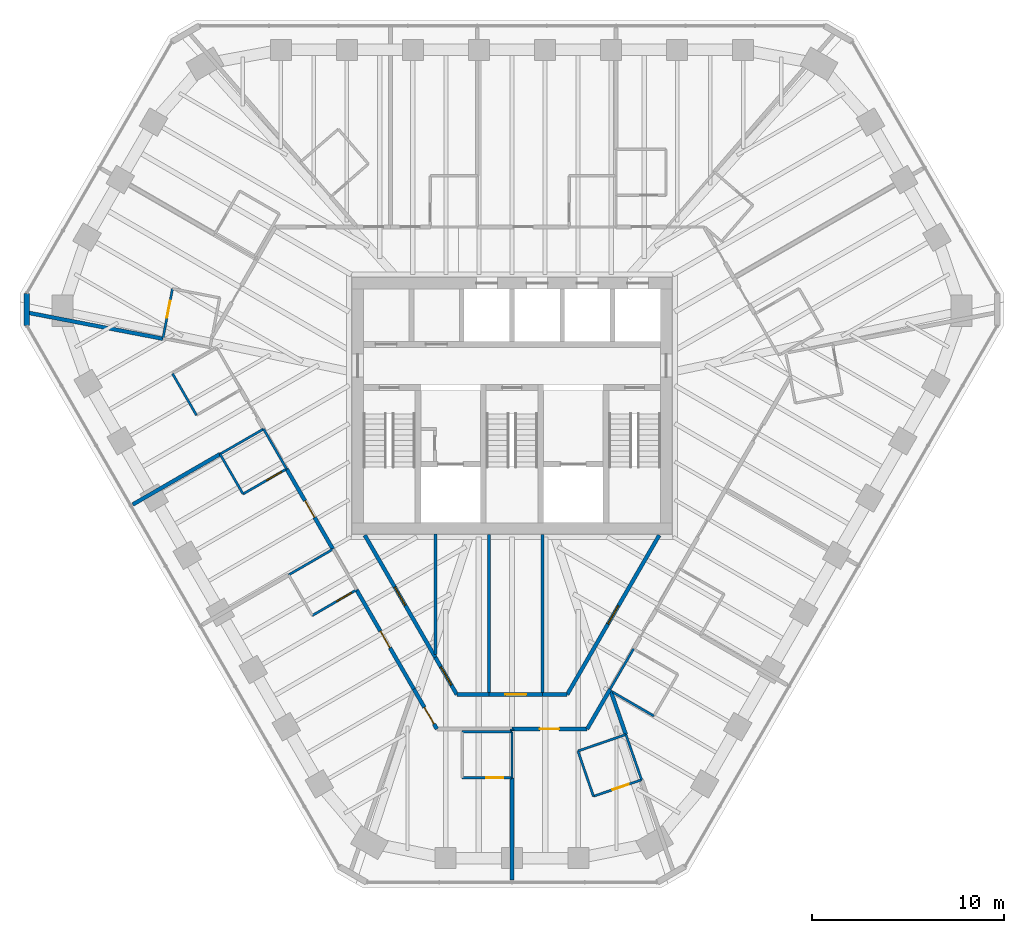
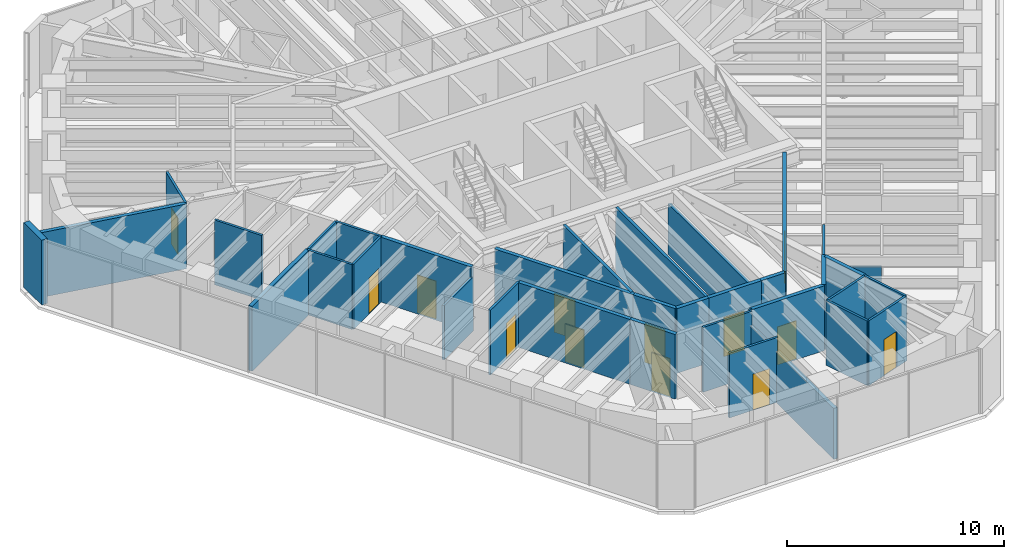
# One storey, part 9 of 14: 37 walls, 13 doors, 13 openings.
"""IFC4 building model written with IfcOpenShell, lengths in metres."""

import ifcopenshell
import ifcopenshell.guid

model = None  # the IFC model being written
_history = None  # IfcOwnerHistory: only IFC2X3 demands one
_inside = {}  # id of a spatial element -> (the spatial element, [elements in it])
_under = {}  # id of a project, library or spatial element -> (it, [spatial elements below it])
_declared = {}  # id of a project -> (the project, [libraries it declares])
_typed = {}  # id of a type object -> (the type object, [elements of that type])
_made_of = {}  # id of a material, layer set ... -> (it, [elements and type objects made of it])


def new_model(schema):
    """Start an empty IFC model of exactly this schema.

    Asked for "IFC4X3", IfcOpenShell would pick the latest addendum, in which some entities
    have other attributes; the version numbers below select the first issue.
    IFC2X3 requires an IfcOwnerHistory on every rooted entity: one is made here for all.
    """
    global model, _history
    if schema == "IFC4X3":
        model = ifcopenshell.file(schema_version=(4, 3, 0, 0))
    else:
        model = ifcopenshell.file(schema=schema)
    _inside.clear()
    _under.clear()
    _declared.clear()
    _typed.clear()
    _made_of.clear()
    _history = None
    if model.schema == "IFC2X3":
        org = make("IfcOrganization", Name="unknown")
        user = make(
            "IfcPersonAndOrganization",
            ThePerson=make("IfcPerson", FamilyName="unknown"),
            TheOrganization=org,
        )
        app = make(
            "IfcApplication",
            ApplicationDeveloper=org,
            Version="unknown",
            ApplicationFullName="unknown",
            ApplicationIdentifier="unknown",
        )
        _history = make(
            "IfcOwnerHistory",
            OwningUser=user,
            OwningApplication=app,
            ChangeAction="ADDED",
            CreationDate=0,
        )
    return model


def make(cls, **values):
    """One entity of the class cls with the attributes given. An attribute that is None is left unset."""
    return model.create_entity(
        cls, **{name: value for name, value in values.items() if value is not None}
    )


def rooted(cls, **values):
    """An entity with a GlobalId (a new one), such as an element, a storey or a relation."""
    return make(cls, GlobalId=ifcopenshell.guid.new(), OwnerHistory=_history, **values)


def si_unit(unit_type, name, prefix=None):
    """IfcSIUnit, for example si_unit("LENGTHUNIT", "METRE", prefix="MILLI")."""
    return make("IfcSIUnit", UnitType=unit_type, Prefix=prefix, Name=name)


def assignment(units):
    """IfcUnitAssignment: the units of a project."""
    return None if units is None else make("IfcUnitAssignment", Units=units)


def point(xyz):
    """IfcCartesianPoint."""
    return None if xyz is None else make("IfcCartesianPoint", Coordinates=xyz)


def direction(xyz):
    """IfcDirection."""
    return None if xyz is None else make("IfcDirection", DirectionRatios=xyz)


def frame(location, z_axis=None, x_axis=None):
    """IfcAxis2Placement3D, a coordinate frame: its origin and axes. An axis left out is left unset."""
    return make(
        "IfcAxis2Placement3D",
        Location=point(location),
        Axis=direction(z_axis),
        RefDirection=direction(x_axis),
    )


def frame_2d(location, x_axis=None):
    """IfcAxis2Placement2D, a coordinate frame in the plane: its origin and x axis."""
    return make(
        "IfcAxis2Placement2D", Location=point(location), RefDirection=direction(x_axis)
    )


def origin():
    """The frame at (0, 0, 0) with its axes left unset."""
    return frame((0.0, 0.0, 0.0))


def place(relative_to, where):
    """IfcLocalPlacement: puts the frame where relative to a parent placement (None: the world)."""
    return make(
        "IfcLocalPlacement", PlacementRelTo=relative_to, RelativePlacement=where
    )


def context(
    kind, dimensions, precision=None, world=None, true_north=None, identifier=None
):
    """IfcGeometricRepresentationContext, for example the 3D "Model" context."""
    return make(
        "IfcGeometricRepresentationContext",
        ContextIdentifier=identifier,
        ContextType=kind,
        CoordinateSpaceDimension=dimensions,
        Precision=precision,
        WorldCoordinateSystem=world,
        TrueNorth=true_north,
    )


def subcontext(parent, identifier, kind, view, scale=None):
    """IfcGeometricRepresentationSubContext, for example "Body" below "Model"."""
    return make(
        "IfcGeometricRepresentationSubContext",
        ContextIdentifier=identifier,
        ContextType=kind,
        ParentContext=parent,
        TargetScale=scale,
        TargetView=view,
    )


def project(units=None, contexts=None):
    """IfcProject with its units and contexts."""
    return rooted(
        "IfcProject",
        Name="project",
        RepresentationContexts=contexts,
        UnitsInContext=assignment(units),
    )


def spatial(cls, under=None, at=None, **own):
    """A site, building, storey or space (cls), placed at a placement, below another one or the project."""
    s = rooted(cls, ObjectPlacement=at, **own)
    if under is not None:
        _under.setdefault(under.id(), (under, []))[1].append(s)
    return s


def profile(cls, at=None, kind="AREA", **sizes):
    """A parametric profile (cls). Its sizes go by their IFC names, for example OverallWidth=200.0."""
    return make(cls, ProfileType=kind, Position=at, **sizes)


def rectangle(**sizes):
    """IfcRectangleProfileDef."""
    return profile("IfcRectangleProfileDef", **sizes)


def extrude(swept, where, along, depth):
    """IfcExtrudedAreaSolid: the profile swept, set in the frame where, extruded along a direction by depth."""
    return make(
        "IfcExtrudedAreaSolid",
        SweptArea=swept,
        Position=where,
        ExtrudedDirection=direction(along),
        Depth=depth,
    )


def shape(context_of_items, identifier, shape_type, items):
    """IfcShapeRepresentation: the items that make up one representation, for example the "Body"."""
    return make(
        "IfcShapeRepresentation",
        ContextOfItems=context_of_items,
        RepresentationIdentifier=identifier,
        RepresentationType=shape_type,
        Items=items,
    )


def material(Name=None, Category=None):
    """IfcMaterial."""
    return make("IfcMaterial", Name=Name, Category=Category)


def layer(
    of_material, thickness, ventilated=None, Name=None, Category=None, Priority=None
):
    """IfcMaterialLayer: one layer of a wall or slab, of a material (None: an air gap)."""
    return make(
        "IfcMaterialLayer",
        Material=of_material,
        LayerThickness=thickness,
        IsVentilated=ventilated,
        Name=Name,
        Category=Category,
        Priority=Priority,
    )


def layer_set(layers, Name=None):
    """IfcMaterialLayerSet."""
    return make("IfcMaterialLayerSet", MaterialLayers=layers, LayerSetName=Name)


def made_of(thing, what):
    """Note that an element or type object is made of a material, layer set ...; save() writes the relation."""
    if what is not None:
        _made_of.setdefault(what.id(), (what, []))[1].append(thing)
    return thing


def type_object(cls, material=None, **own):
    """A type object (cls), such as IfcWallType, which elements share."""
    return made_of(rooted(cls, **own), material)


def element(
    cls,
    number,
    at=None,
    inside=None,
    cuts=None,
    type_object=None,
    material=None,
    context=None,
    identifier="Body",
    shape_type=None,
    held_by="IfcProductDefinitionShape",
    body=None,
    shapes=None,
    **own,
):
    """One element of the class cls, such as IfcWall. Its Tag is "e" and its number.

    at: its placement. inside: the storey or other place that contains it. cuts: it is an
    opening in that element (IfcRelVoidsElement). A single representation is given by context,
    identifier, shape_type and body (its items); several are given by shapes. held_by: the class
    of the entity that holds the representations. save() writes the other relations.
    """
    e = rooted(cls, Tag="e%d" % number, ObjectPlacement=at, **own)
    if body is not None:
        shapes = [shape(context, identifier, shape_type, body)]
    if shapes is not None:
        e.Representation = make(held_by, Representations=shapes)
    if inside is not None:
        _inside.setdefault(inside.id(), (inside, []))[1].append(e)
    if cuts is not None:
        rooted(
            "IfcRelVoidsElement", RelatingBuildingElement=cuts, RelatedOpeningElement=e
        )
    if type_object is not None:
        _typed.setdefault(type_object.id(), (type_object, []))[1].append(e)
    return made_of(e, material)


def fill(opening, filler):
    """IfcRelFillsElement: the door or window that sits in an opening."""
    return rooted(
        "IfcRelFillsElement",
        RelatingOpeningElement=opening,
        RelatedBuildingElement=filler,
    )


def aggregate(whole, parts):
    """IfcRelAggregates: a whole, such as a stair, and the parts it consists of."""
    return rooted("IfcRelAggregates", RelatingObject=whole, RelatedObjects=parts)


def save(model, path):
    """Write the relations noted so far, then the file.

    IfcRelAggregates (storeys below a building ...), IfcRelContainedInSpatialStructure (elements
    in a storey), IfcRelDefinesByType, IfcRelAssociatesMaterial and IfcRelDeclares: one each for
    every whole, place, type object, material and project.
    """
    for whole, parts in _under.values():
        aggregate(whole, parts)
    for where, things in _inside.values():
        rooted(
            "IfcRelContainedInSpatialStructure",
            RelatedElements=things,
            RelatingStructure=where,
        )
    for kind, things in _typed.values():
        rooted("IfcRelDefinesByType", RelatedObjects=things, RelatingType=kind)
    for what, things in _made_of.values():
        rooted("IfcRelAssociatesMaterial", RelatedObjects=things, RelatingMaterial=what)
    for by, libraries in _declared.values():
        rooted("IfcRelDeclares", RelatingContext=by, RelatedDefinitions=libraries)
    model.write(path)


model = new_model("IFC4")

# Units and contexts
model_context = context("Model", 3, precision=1e-05, world=origin(), true_north=direction((0.0, 1.0)))
body_context = subcontext(model_context, "Body", "Model", "MODEL_VIEW")
ifc_project = project(units=[si_unit("LENGTHUNIT", "METRE"), si_unit("AREAUNIT", "SQUARE_METRE"), si_unit("VOLUMEUNIT", "CUBIC_METRE"), si_unit("PLANEANGLEUNIT", "RADIAN"), si_unit("MASSUNIT", "GRAM", prefix="KILO")], contexts=[model_context])

# Site, building, storey
site_placement = place(None, origin())
site = spatial("IfcSite", under=ifc_project, at=site_placement, CompositionType="ELEMENT")
building_placement = place(site_placement, origin())
building = spatial("IfcBuilding", under=site, at=building_placement, Name="Sandreach Pilgrim Tower", CompositionType="ELEMENT")
storey_placement = place(building_placement, frame((0.0, 0.0, 287.39990234375)))
storey = spatial("IfcBuildingStorey", under=building, at=storey_placement, Name="L72", CompositionType="ELEMENT", Elevation=287.39990234375)

# Walls
ifc_material_1 = material(Name="Gypsum board on steel studs", Category="steel")
ifc_layer_1 = layer(ifc_material_1, 0.14990234375)
ifc_layer_set_1 = layer_set([ifc_layer_1], Name="Back of house wall 150")
wall_type_1 = type_object("IfcWallType", Name="Back of house wall 150", PredefinedType="PARTITIONING", material=ifc_layer_set_1)
wall_1_placement = place(storey_placement, frame((-4.0, -6.699951171875, 0.0), z_axis=(0.0, 0.0, 1.0), x_axis=(0.0, -1.0, 0.0)))
element("IfcWall", 1, at=wall_1_placement, inside=storey, type_object=wall_type_1, Name="Back of house wall L72-049", PredefinedType="PARTITIONING", context=body_context, shape_type="SweptSolid", body=[
    extrude(rectangle(XDim=6.26513671875, YDim=0.14990234375, at=frame_2d((3.132568359375, 0.0))), origin(), (0.0, 0.0, 1.0), 3.64013671875),
])
wall_2_placement = place(storey_placement, frame((-1.199951171875, -6.699951171875, 0.0), z_axis=(0.0, 0.0, 1.0), x_axis=(0.0, -1.0, 0.0)))
element("IfcWall", 2, at=wall_2_placement, inside=storey, type_object=wall_type_1, Name="Back of house wall L72-058", PredefinedType="PARTITIONING", context=body_context, shape_type="SweptSolid", body=[
    extrude(rectangle(XDim=8.360107421875, YDim=0.14990234375, at=frame_2d((4.18017578125, 0.0))), origin(), (0.0, 0.0, 1.0), 3.64013671875),
])
wall_3_placement = place(storey_placement, frame((1.60009765625, -6.699951171875, 0.0), z_axis=(0.0, 0.0, 1.0), x_axis=(0.0, -1.0, 0.0)))
element("IfcWall", 3, at=wall_3_placement, inside=storey, type_object=wall_type_1, Name="Back of house wall L72-065", PredefinedType="PARTITIONING", context=body_context, shape_type="SweptSolid", body=[
    extrude(rectangle(XDim=8.360107421875, YDim=0.14990234375, at=frame_2d((4.18017578125, 0.0))), origin(), (0.0, 0.0, 1.0), 2.8603515625),
])
ifc_material_2 = material(Name="Moisture-resistant gypsum board on steel studs", Category="steel")
ifc_layer_2 = layer(ifc_material_2, 0.1201171875)
ifc_layer_set_2 = layer_set([ifc_layer_2], Name="Bathroom partition 120")
wall_type_2 = type_object("IfcWallType", Name="Bathroom partition 120", PredefinedType="PARTITIONING", material=ifc_layer_set_2)
wall_4_placement = place(storey_placement, frame((-17.7099609375, 1.679931640625, 0.0), z_axis=(0.0, 0.0, 1.0), x_axis=(0.499159685399, -0.866510016372, 0.0)))
element("IfcWall", 4, at=wall_4_placement, inside=storey, type_object=wall_type_2, Name="Bathroom partition L72-005", PredefinedType="PARTITIONING", context=body_context, shape_type="SweptSolid", body=[
    extrude(rectangle(XDim=2.504150390625, YDim=0.1201171875, at=frame_2d((1.251953125, 0.0))), origin(), (0.0, 0.0, 1.0), 3.64013671875),
])

# Wall, opening, door
wall_5_placement = place(storey_placement, frame((-17.7099609375, 6.110107421875, 0.0), z_axis=(0.0, 0.0, 1.0), x_axis=(-0.188840553732, -0.982007762325, 0.0)))
wall_5 = element("IfcWall", 5, at=wall_5_placement, inside=storey, type_object=wall_type_2, Name="Bathroom partition L72-006", PredefinedType="PARTITIONING", context=body_context, shape_type="SweptSolid", body=[
    extrude(rectangle(XDim=2.647705078125, YDim=0.1201171875, at=frame_2d((1.32373046875, 0.0))), origin(), (0.0, 0.0, 1.0), 3.64013671875),
])
opening_1_placement = place(wall_5_placement, frame((0.64990234375, 0.0, 0.0)))
opening_1 = element("IfcOpeningElement", 6, at=opening_1_placement, cuts=wall_5, Name="Opening D09-15B", PredefinedType="OPENING", context=body_context, shape_type="SweptSolid", body=[
    extrude(rectangle(XDim=0.89990234375, YDim=2.030029296875, at=frame_2d((0.449951171875, 1.01513671875))), frame((0.0, 0.06005859375, 0.0), z_axis=(0.0, -1.0, 0.0), x_axis=(1.0, 0.0, 0.0)), (0.0, 0.0, 1.0), 0.1201171875),
])
ifc_material_3 = material(Name="Timber door, steel frame", Category="steel")
door_type_1 = type_object("IfcDoorType", Name="Bathroom door", OperationType="SINGLE_SWING_LEFT", PredefinedType="DOOR", material=ifc_material_3)
door_1_placement = place(opening_1_placement, origin())
door_1 = element("IfcDoor", 7, at=door_1_placement, inside=storey, type_object=door_type_1, Name="Door 7215B", OperationType="SINGLE_SWING_LEFT", OverallHeight=2.030029296875, OverallWidth=0.89990234375, PredefinedType="DOOR", context=body_context, shape_type="SweptSolid", body=[
    extrude(rectangle(XDim=0.89990234375, YDim=2.030029296875, at=frame_2d((0.449951171875, 1.01513671875))), frame((0.0, 0.02490234375, 0.0), z_axis=(0.0, -1.0, 0.0), x_axis=(1.0, 0.0, 0.0)), (0.0, 0.0, 1.0), 0.050048828125),
])
fill(opening_1, door_1)

# Walls
wall_6_placement = place(storey_placement, frame((-15.22998046875, -2.52001953125, 0.0), z_axis=(0.0, 0.0, 1.0), x_axis=(0.499737123639, -0.866177122335, 0.0)))
element("IfcWall", 8, at=wall_6_placement, inside=storey, type_object=wall_type_2, Name="Bathroom partition L72-019", PredefinedType="PARTITIONING", context=body_context, shape_type="SweptSolid", body=[
    extrude(rectangle(XDim=2.401123046875, YDim=0.1201171875, at=frame_2d((1.20068359375, 0.0))), origin(), (0.0, 0.0, 1.0), 3.64013671875),
])
wall_7_placement = place(storey_placement, frame((-15.22998046875, -2.52001953125, 0.0), z_axis=(0.0, 0.0, 1.0), x_axis=(0.866114241029, 0.499846097802, 0.0)))
element("IfcWall", 9, at=wall_7_placement, inside=storey, type_object=wall_type_2, Name="Bathroom partition L72-020", PredefinedType="PARTITIONING", context=body_context, shape_type="SweptSolid", body=[
    extrude(rectangle(XDim=2.620849609375, YDim=0.1201171875, at=frame_2d((1.310546875, 0.0))), origin(), (0.0, 0.0, 1.0), 3.64013671875),
])

# Wall, opening, door
wall_8_placement = place(storey_placement, frame((-14.030029296875, -4.60009765625, 0.0), z_axis=(0.0, 0.0, 1.0), x_axis=(0.866114241029, 0.499846097802, 0.0)))
wall_8 = element("IfcWall", 10, at=wall_8_placement, inside=storey, type_object=wall_type_2, Name="Bathroom partition L72-023", PredefinedType="PARTITIONING", context=body_context, shape_type="SweptSolid", body=[
    extrude(rectangle(XDim=2.620849609375, YDim=0.1201171875, at=frame_2d((1.310546875, 0.0))), origin(), (0.0, 0.0, 1.0), 3.64013671875),
])
opening_2_placement = place(wall_8_placement, frame((1.4208984375, 0.0, 0.0)))
opening_2 = element("IfcOpeningElement", 11, at=opening_2_placement, cuts=wall_8, Name="Opening D09-13B", PredefinedType="OPENING", context=body_context, shape_type="SweptSolid", body=[
    extrude(rectangle(XDim=0.89990234375, YDim=2.030029296875, at=frame_2d((0.449951171875, 1.01513671875))), frame((0.0, 0.06005859375, 0.0), z_axis=(0.0, -1.0, 0.0), x_axis=(1.0, 0.0, 0.0)), (0.0, 0.0, 1.0), 0.1201171875),
])
door_2_placement = place(opening_2_placement, origin())
door_2 = element("IfcDoor", 12, at=door_2_placement, inside=storey, type_object=door_type_1, Name="Door 7213B", OperationType="SINGLE_SWING_RIGHT", OverallHeight=2.030029296875, OverallWidth=0.89990234375, PredefinedType="DOOR", context=body_context, shape_type="SweptSolid", body=[
    extrude(rectangle(XDim=0.89990234375, YDim=2.030029296875, at=frame_2d((0.449951171875, 1.01513671875))), frame((0.0, 0.02490234375, 0.0), z_axis=(0.0, -1.0, 0.0), x_axis=(1.0, 0.0, 0.0)), (0.0, 0.0, 1.0), 0.050048828125),
])
fill(opening_2, door_2)

# Walls
wall_9_placement = place(storey_placement, frame((-12.9599609375, -1.2099609375, 0.0), z_axis=(0.0, 0.0, 1.0), x_axis=(0.499693115345, -0.866202511239, 0.0)))
element("IfcWall", 13, at=wall_9_placement, inside=storey, type_object=wall_type_2, Name="Bathroom partition L72-027", PredefinedType="PARTITIONING", context=body_context, shape_type="SweptSolid", body=[
    extrude(rectangle(XDim=2.4013671875, YDim=0.1201171875, at=frame_2d((1.20068359375, 0.0))), origin(), (0.0, 0.0, 1.0), 3.64013671875),
])
wall_10_placement = place(storey_placement, frame((-11.64990234375, -8.820068359375, 0.0), z_axis=(0.0, 0.0, 1.0), x_axis=(0.864966903181, 0.501828911485, 0.0)))
element("IfcWall", 14, at=wall_10_placement, inside=storey, type_object=wall_type_2, Name="Bathroom partition L72-031", PredefinedType="PARTITIONING", context=body_context, shape_type="SweptSolid", body=[
    extrude(rectangle(XDim=2.67041015625, YDim=0.1201171875, at=frame_2d((1.335205078125, 0.0))), origin(), (0.0, 0.0, 1.0), 3.0380859375),
])

# Wall, opening, door
wall_11_placement = place(storey_placement, frame((-10.419921875, -10.93994140625, 0.0), z_axis=(0.0, 0.0, 1.0), x_axis=(0.865006586495, 0.501760505939, 0.0)))
wall_11 = element("IfcWall", 15, at=wall_11_placement, inside=storey, type_object=wall_type_2, Name="Bathroom partition L72-033", PredefinedType="PARTITIONING", context=body_context, shape_type="SweptSolid", body=[
    extrude(rectangle(XDim=2.670166015625, YDim=0.1201171875, at=frame_2d((1.3349609375, 0.0))), origin(), (0.0, 0.0, 1.0), 3.64013671875),
])
opening_3_placement = place(wall_11_placement, frame((1.470458984375, 0.0, 0.0)))
opening_3 = element("IfcOpeningElement", 16, at=opening_3_placement, cuts=wall_11, Name="Opening D09-12B", PredefinedType="OPENING", context=body_context, shape_type="SweptSolid", body=[
    extrude(rectangle(XDim=0.89990234375, YDim=2.030029296875, at=frame_2d((0.449951171875, 1.01513671875))), frame((0.0, 0.06005859375, 0.0), z_axis=(0.0, -1.0, 0.0), x_axis=(1.0, 0.0, 0.0)), (0.0, 0.0, 1.0), 0.1201171875),
])
door_3_placement = place(opening_3_placement, origin())
door_3 = element("IfcDoor", 17, at=door_3_placement, inside=storey, type_object=door_type_1, Name="Door 7212B", OperationType="SINGLE_SWING_RIGHT", OverallHeight=2.030029296875, OverallWidth=0.89990234375, PredefinedType="DOOR", context=body_context, shape_type="SweptSolid", body=[
    extrude(rectangle(XDim=0.89990234375, YDim=2.030029296875, at=frame_2d((0.449951171875, 1.01513671875))), frame((0.0, 0.02490234375, 0.0), z_axis=(0.0, -1.0, 0.0), x_axis=(1.0, 0.0, 0.0)), (0.0, 0.0, 1.0), 0.050048828125),
])
fill(opening_3, door_3)

wall_12_placement = place(storey_placement, frame((-2.60009765625, -19.409912109375, 0.0), z_axis=(0.0, 0.0, 1.0), x_axis=(1.0, 0.0, 0.0)))
wall_12 = element("IfcWall", 18, at=wall_12_placement, inside=storey, type_object=wall_type_2, Name="Bathroom partition L72-052", PredefinedType="PARTITIONING", context=body_context, shape_type="SweptSolid", body=[
    extrude(rectangle(XDim=2.60009765625, YDim=0.1201171875, at=frame_2d((1.300048828125, 0.0))), origin(), (0.0, 0.0, 1.0), 3.64013671875),
])
opening_4_placement = place(wall_12_placement, frame((1.25, 0.0, 0.0)))
opening_4 = element("IfcOpeningElement", 19, at=opening_4_placement, cuts=wall_12, Name="Opening D09-11B", PredefinedType="OPENING", context=body_context, shape_type="SweptSolid", body=[
    extrude(rectangle(XDim=0.89990234375, YDim=2.030029296875, at=frame_2d((0.449951171875, 1.01513671875))), frame((0.0, 0.06005859375, 0.0), z_axis=(0.0, -1.0, 0.0), x_axis=(1.0, 0.0, 0.0)), (0.0, 0.0, 1.0), 0.1201171875),
])
door_4_placement = place(opening_4_placement, origin())
door_4 = element("IfcDoor", 20, at=door_4_placement, inside=storey, type_object=door_type_1, Name="Door 7211B", OperationType="SINGLE_SWING_RIGHT", OverallHeight=2.030029296875, OverallWidth=0.89990234375, PredefinedType="DOOR", context=body_context, shape_type="SweptSolid", body=[
    extrude(rectangle(XDim=0.89990234375, YDim=2.030029296875, at=frame_2d((0.449951171875, 1.01513671875))), frame((0.0, 0.02490234375, 0.0), z_axis=(0.0, -1.0, 0.0), x_axis=(1.0, 0.0, 0.0)), (0.0, 0.0, 1.0), 0.050048828125),
])
fill(opening_4, door_4)

# Walls
wall_13_placement = place(storey_placement, frame((0.0, -19.409912109375, 0.0), z_axis=(0.0, 0.0, 1.0), x_axis=(0.0, 1.0, 0.0)))
element("IfcWall", 21, at=wall_13_placement, inside=storey, type_object=wall_type_2, Name="Bathroom partition L72-060", PredefinedType="PARTITIONING", context=body_context, shape_type="SweptSolid", body=[
    extrude(rectangle(XDim=2.39990234375, YDim=0.1201171875, at=frame_2d((1.199951171875, 0.0))), origin(), (0.0, 0.0, 1.0), 2.8603515625),
])
wall_14_placement = place(storey_placement, frame((0.0, -17.010009765625, 0.0), z_axis=(0.0, 0.0, 1.0), x_axis=(-1.0, 0.0, 0.0)))
element("IfcWall", 22, at=wall_14_placement, inside=storey, type_object=wall_type_2, Name="Bathroom partition L72-061", PredefinedType="PARTITIONING", context=body_context, shape_type="SweptSolid", body=[
    extrude(rectangle(XDim=2.60009765625, YDim=0.1201171875, at=frame_2d((1.300048828125, 0.0))), origin(), (0.0, 0.0, 1.0), 3.64013671875),
])
wall_15_placement = place(storey_placement, frame((3.43994140625, -18.010009765625, 0.0), z_axis=(0.0, 0.0, 1.0), x_axis=(0.324669532971, -0.945827518293, 0.0)))
element("IfcWall", 23, at=wall_15_placement, inside=storey, type_object=wall_type_2, Name="Bathroom partition L72-069", PredefinedType="PARTITIONING", context=body_context, shape_type="SweptSolid", body=[
    extrude(rectangle(XDim=2.4951171875, YDim=0.1201171875, at=frame_2d((1.24755859375, 0.0))), origin(), (0.0, 0.0, 1.0), 3.64013671875),
])

# Wall, opening, door
wall_16_placement = place(storey_placement, frame((4.25, -20.3701171875, 0.0), z_axis=(0.0, 0.0, 1.0), x_axis=(0.945999971947, 0.324166705687, 0.0)))
wall_16 = element("IfcWall", 24, at=wall_16_placement, inside=storey, type_object=wall_type_2, Name="Bathroom partition L72-071", PredefinedType="PARTITIONING", context=body_context, shape_type="SweptSolid", body=[
    extrude(rectangle(XDim=2.6533203125, YDim=0.1201171875, at=frame_2d((1.32666015625, 0.0))), origin(), (0.0, 0.0, 1.0), 3.64013671875),
])
opening_5_placement = place(wall_16_placement, frame((1.050048828125, 0.0, 0.0)))
opening_5 = element("IfcOpeningElement", 25, at=opening_5_placement, cuts=wall_16, Name="Opening D09-10B", PredefinedType="OPENING", context=body_context, shape_type="SweptSolid", body=[
    extrude(rectangle(XDim=0.89990234375, YDim=2.030029296875, at=frame_2d((0.449951171875, 1.01513671875))), frame((0.0, 0.06005859375, 0.0), z_axis=(0.0, -1.0, 0.0), x_axis=(1.0, 0.0, 0.0)), (0.0, 0.0, 1.0), 0.1201171875),
])
door_5_placement = place(opening_5_placement, origin())
door_5 = element("IfcDoor", 26, at=door_5_placement, inside=storey, type_object=door_type_1, Name="Door 7210B", OperationType="SINGLE_SWING_RIGHT", OverallHeight=2.030029296875, OverallWidth=0.89990234375, PredefinedType="DOOR", context=body_context, shape_type="SweptSolid", body=[
    extrude(rectangle(XDim=0.89990234375, YDim=2.030029296875, at=frame_2d((0.449951171875, 1.01513671875))), frame((0.0, 0.02490234375, 0.0), z_axis=(0.0, -1.0, 0.0), x_axis=(1.0, 0.0, 0.0)), (0.0, 0.0, 1.0), 0.050048828125),
])
fill(opening_5, door_5)

# Walls
wall_17_placement = place(storey_placement, frame((5.1201171875, -14.780029296875, 0.0), z_axis=(0.0, 0.0, 1.0), x_axis=(0.502307685327, 0.86468895521, 0.0)))
element("IfcWall", 27, at=wall_17_placement, inside=storey, type_object=wall_type_2, Name="Bathroom partition L72-072", PredefinedType="PARTITIONING", context=body_context, shape_type="SweptSolid", body=[
    extrude(rectangle(XDim=2.4287109375, YDim=0.1201171875, at=frame_2d((1.21435546875, 0.0))), origin(), (0.0, 0.0, 1.0), 3.64013671875),
])
wall_18_placement = place(storey_placement, frame((5.250732421875, -14.9326171875, 0.0), z_axis=(0.0, 0.0, 1.0), x_axis=(0.864892147873, -0.501957739803, 0.0)))
element("IfcWall", 28, at=wall_18_placement, inside=storey, type_object=wall_type_2, Name="Bathroom partition L72-073", PredefinedType="PARTITIONING", context=body_context, shape_type="SweptSolid", body=[
    extrude(rectangle(XDim=2.48486328125, YDim=0.1201171875, at=frame_2d((1.242431640625, 0.0))), origin(), (0.0, 0.0, 1.0), 3.0380859375),
])
wall_19_placement = place(storey_placement, frame((5.93994140625, -17.14990234375, 0.0), z_axis=(0.0, 0.0, 1.0), x_axis=(-0.945601400786, -0.32532751318, 0.0)))
element("IfcWall", 29, at=wall_19_placement, inside=storey, type_object=wall_type_2, Name="Bathroom partition L72-081", PredefinedType="PARTITIONING", context=body_context, shape_type="SweptSolid", body=[
    extrude(rectangle(XDim=2.643798828125, YDim=0.1201171875, at=frame_2d((1.32177734375, 0.0))), origin(), (0.0, 0.0, 1.0), 3.64013671875),
])
wall_20_placement = place(storey_placement, frame((5.93994140625, -17.14990234375, 0.0), z_axis=(0.0, 0.0, 1.0), x_axis=(0.32822120494, -0.944600889597, 0.0)))
element("IfcWall", 30, at=wall_20_placement, inside=storey, type_object=wall_type_2, Name="Bathroom partition L72-083", PredefinedType="PARTITIONING", context=body_context, shape_type="SweptSolid", body=[
    extrude(rectangle(XDim=2.49853515625, YDim=0.1201171875, at=frame_2d((1.249267578125, 0.0))), origin(), (0.0, 0.0, 1.0), 3.64013671875),
])

# Wall, opening, door
ifc_material_4 = material(Name="Gypsum board on steel studs, two layers each side", Category="steel")
ifc_layer_3 = layer(ifc_material_4, 0.199951171875)
ifc_layer_set_3 = layer_set([ifc_layer_3], Name="Corridor wall 200")
wall_type_3 = type_object("IfcWallType", Name="Corridor wall 200", PredefinedType="PARTITIONING", material=ifc_layer_set_3)
wall_21_placement = place(storey_placement, frame((-11.760009765625, -3.2900390625, 0.0), z_axis=(0.0, 0.0, 1.0), x_axis=(0.500133000121, -0.86594860251, 0.0)))
wall_21 = element("IfcWall", 31, at=wall_21_placement, inside=storey, type_object=wall_type_3, Name="Corridor wall L72-029", PredefinedType="PARTITIONING", context=body_context, shape_type="SweptSolid", body=[
    extrude(rectangle(XDim=4.838623046875, YDim=0.199951171875, at=frame_2d((2.41943359375, 0.0))), origin(), (0.0, 0.0, 1.0), 3.64013671875),
])
opening_6_placement = place(wall_21_placement, frame((1.919189453125, 0.0, 0.0)))
opening_6 = element("IfcOpeningElement", 32, at=opening_6_placement, cuts=wall_21, Name="Opening D10-13", PredefinedType="OPENING", context=body_context, shape_type="SweptSolid", body=[
    extrude(rectangle(XDim=1.0, YDim=2.1298828125, at=frame_2d((0.5, 1.06494140625))), frame((0.0, 0.10009765625, 0.0), z_axis=(0.0, -1.0, 0.0), x_axis=(1.0, 0.0, 0.0)), (0.0, 0.0, 1.0), 0.199951171875),
])
ifc_material_5 = material(Name="Steel door and frame", Category="steel")
door_type_2 = type_object("IfcDoorType", Name="Guest room entry door", OperationType="SINGLE_SWING_LEFT", PredefinedType="DOOR", material=ifc_material_5)
door_6_placement = place(opening_6_placement, origin())
door_6 = element("IfcDoor", 33, at=door_6_placement, inside=storey, type_object=door_type_2, Name="Door 7213", OperationType="SINGLE_SWING_LEFT", OverallHeight=2.1298828125, OverallWidth=1.0, PredefinedType="DOOR", context=body_context, shape_type="SweptSolid", body=[
    extrude(rectangle(XDim=1.0, YDim=2.1298828125, at=frame_2d((0.5, 1.06494140625))), frame((0.0, 0.02490234375, 0.0), z_axis=(0.0, -1.0, 0.0), x_axis=(1.0, 0.0, 0.0)), (0.0, 0.0, 1.0), 0.050048828125),
])
fill(opening_6, door_6)

wall_22_placement = place(storey_placement, frame((-8.110107421875, -9.60009765625, 0.0), z_axis=(0.0, 0.0, 1.0), x_axis=(0.49991915452, -0.866072074913, 0.0)))
wall_22 = element("IfcWall", 34, at=wall_22_placement, inside=storey, type_object=wall_type_3, Name="Corridor wall L72-039", PredefinedType="PARTITIONING", context=body_context, shape_type="SweptSolid", body=[
    extrude(rectangle(XDim=5.98095703125, YDim=0.199951171875, at=frame_2d((2.990478515625, 0.0))), origin(), (0.0, 0.0, 1.0), 3.64013671875),
])
opening_7_placement = place(wall_22_placement, frame((2.490478515625, 0.0, 0.0)))
opening_7 = element("IfcOpeningElement", 35, at=opening_7_placement, cuts=wall_22, Name="Opening D10-12", PredefinedType="OPENING", context=body_context, shape_type="SweptSolid", body=[
    extrude(rectangle(XDim=1.0, YDim=2.1298828125, at=frame_2d((0.5, 1.06494140625))), frame((0.0, 0.10009765625, 0.0), z_axis=(0.0, -1.0, 0.0), x_axis=(1.0, 0.0, 0.0)), (0.0, 0.0, 1.0), 0.199951171875),
])
door_7_placement = place(opening_7_placement, origin())
door_7 = element("IfcDoor", 36, at=door_7_placement, inside=storey, type_object=door_type_2, Name="Door 7212", OperationType="SINGLE_SWING_LEFT", OverallHeight=2.1298828125, OverallWidth=1.0, PredefinedType="DOOR", context=body_context, shape_type="SweptSolid", body=[
    extrude(rectangle(XDim=1.0, YDim=2.1298828125, at=frame_2d((0.5, 1.06494140625))), frame((0.0, 0.02490234375, 0.0), z_axis=(0.0, -1.0, 0.0), x_axis=(1.0, 0.0, 0.0)), (0.0, 0.0, 1.0), 0.050048828125),
])
fill(opening_7, door_7)

wall_23_placement = place(storey_placement, frame((-5.1201171875, -14.780029296875, 0.0), z_axis=(0.0, 0.0, 1.0), x_axis=(0.499813401482, -0.866133109688, 0.0)))
wall_23 = element("IfcWall", 37, at=wall_23_placement, inside=storey, type_object=wall_type_3, Name="Corridor wall L72-044", PredefinedType="PARTITIONING", context=body_context, shape_type="SweptSolid", body=[
    extrude(rectangle(XDim=2.4013671875, YDim=0.199951171875, at=frame_2d((1.20068359375, 0.0))), origin(), (0.0, 0.0, 1.0), 3.64013671875),
])
opening_8_placement = place(wall_23_placement, frame((1.10009765625, 0.0, 0.0)))
opening_8 = element("IfcOpeningElement", 38, at=opening_8_placement, cuts=wall_23, Name="Opening D10-11", PredefinedType="OPENING", context=body_context, shape_type="SweptSolid", body=[
    extrude(rectangle(XDim=1.0, YDim=2.1298828125, at=frame_2d((0.5, 1.06494140625))), frame((0.0, 0.10009765625, 0.0), z_axis=(0.0, -1.0, 0.0), x_axis=(1.0, 0.0, 0.0)), (0.0, 0.0, 1.0), 0.199951171875),
])
door_8_placement = place(opening_8_placement, origin())
door_8 = element("IfcDoor", 39, at=door_8_placement, inside=storey, type_object=door_type_2, Name="Door 7211", OperationType="SINGLE_SWING_RIGHT", OverallHeight=2.1298828125, OverallWidth=1.0, PredefinedType="DOOR", context=body_context, shape_type="SweptSolid", body=[
    extrude(rectangle(XDim=1.0, YDim=2.1298828125, at=frame_2d((0.5, 1.06494140625))), frame((0.0, 0.02490234375, 0.0), z_axis=(0.0, -1.0, 0.0), x_axis=(1.0, 0.0, 0.0)), (0.0, 0.0, 1.0), 0.050048828125),
])
fill(opening_8, door_8)

wall_24_placement = place(storey_placement, frame((-4.0, -13.1201171875, 0.0), z_axis=(0.0, 0.0, 1.0), x_axis=(-0.500218436225, 0.865899252835, 0.0)))
wall_24 = element("IfcWall", 40, at=wall_24_placement, inside=storey, type_object=wall_type_3, Name="Corridor wall L72-048", PredefinedType="PARTITIONING", context=body_context, shape_type="SweptSolid", body=[
    extrude(rectangle(XDim=7.356689453125, YDim=0.199951171875, at=frame_2d((3.67822265625, 0.0))), origin(), (0.0, 0.0, 1.0), 3.64013671875),
])
opening_9_placement = place(wall_24_placement, frame((3.12841796875, 0.0, 0.0)))
opening_9 = element("IfcOpeningElement", 41, at=opening_9_placement, cuts=wall_24, Name="Opening D11H-S1", PredefinedType="OPENING", context=body_context, shape_type="SweptSolid", body=[
    extrude(rectangle(XDim=1.10009765625, YDim=2.199951171875, at=frame_2d((0.550048828125, 1.10009765625))), frame((0.0, 0.10009765625, 0.0), z_axis=(0.0, -1.0, 0.0), x_axis=(1.0, 0.0, 0.0)), (0.0, 0.0, 1.0), 0.199951171875),
])
ifc_material_6 = material(Name="Steel door and frame", Category="steel")
door_type_3 = type_object("IfcDoorType", Name="Back of house door", OperationType="SINGLE_SWING_LEFT", PredefinedType="DOOR", material=ifc_material_6)
door_9_placement = place(opening_9_placement, origin())
door_9 = element("IfcDoor", 42, at=door_9_placement, inside=storey, type_object=door_type_3, Name="Door 72S1", OperationType="SINGLE_SWING_LEFT", OverallHeight=2.199951171875, OverallWidth=1.10009765625, PredefinedType="DOOR", context=body_context, shape_type="SweptSolid", body=[
    extrude(rectangle(XDim=1.10009765625, YDim=2.199951171875, at=frame_2d((0.550048828125, 1.10009765625))), frame((0.0, 0.02490234375, 0.0), z_axis=(0.0, -1.0, 0.0), x_axis=(1.0, 0.0, 0.0)), (0.0, 0.0, 1.0), 0.050048828125),
])
fill(opening_9, door_9)

wall_25_placement = place(storey_placement, frame((-2.8798828125, -15.06005859375, 0.0), z_axis=(0.0, 0.0, 1.0), x_axis=(-0.499983441833, 0.866034963436, 0.0)))
wall_25 = element("IfcWall", 43, at=wall_25_placement, inside=storey, type_object=wall_type_3, Name="Corridor wall L72-051", PredefinedType="PARTITIONING", context=body_context, shape_type="SweptSolid", body=[
    extrude(rectangle(XDim=2.240234375, YDim=0.199951171875, at=frame_2d((1.1201171875, 0.0))), origin(), (0.0, 0.0, 1.0), 3.64013671875),
])
opening_10_placement = place(wall_25_placement, frame((0.570068359375, 0.0, 0.0)))
opening_10 = element("IfcOpeningElement", 44, at=opening_10_placement, cuts=wall_25, Name="Opening D11H-S2", PredefinedType="OPENING", context=body_context, shape_type="SweptSolid", body=[
    extrude(rectangle(XDim=1.10009765625, YDim=2.199951171875, at=frame_2d((0.550048828125, 1.10009765625))), frame((0.0, 0.10009765625, 0.0), z_axis=(0.0, -1.0, 0.0), x_axis=(1.0, 0.0, 0.0)), (0.0, 0.0, 1.0), 0.199951171875),
])
door_10_placement = place(opening_10_placement, origin())
door_10 = element("IfcDoor", 45, at=door_10_placement, inside=storey, type_object=door_type_3, Name="Door 72S2", OperationType="SINGLE_SWING_LEFT", OverallHeight=2.199951171875, OverallWidth=1.10009765625, PredefinedType="DOOR", context=body_context, shape_type="SweptSolid", body=[
    extrude(rectangle(XDim=1.10009765625, YDim=2.199951171875, at=frame_2d((0.550048828125, 1.10009765625))), frame((0.0, 0.02490234375, 0.0), z_axis=(0.0, -1.0, 0.0), x_axis=(1.0, 0.0, 0.0)), (0.0, 0.0, 1.0), 0.050048828125),
])
fill(opening_10, door_10)

# Wall
wall_26_placement = place(storey_placement, frame((-1.199951171875, -15.06005859375, 0.0), z_axis=(0.0, 0.0, 1.0), x_axis=(-1.0, 0.0, 0.0)))
element("IfcWall", 46, at=wall_26_placement, inside=storey, type_object=wall_type_3, Name="Corridor wall L72-057", PredefinedType="PARTITIONING", context=body_context, shape_type="SweptSolid", body=[
    extrude(rectangle(XDim=1.679931640625, YDim=0.199951171875, at=frame_2d((0.83984375, 0.0))), origin(), (0.0, 0.0, 1.0), 3.64013671875),
])

# Wall, opening, door
wall_27_placement = place(storey_placement, frame((0.0, -16.860107421875, 0.0), z_axis=(0.0, 0.0, 1.0), x_axis=(1.0, 0.0, 0.0)))
wall_27 = element("IfcWall", 47, at=wall_27_placement, inside=storey, type_object=wall_type_3, Name="Corridor wall L72-063", PredefinedType="PARTITIONING", context=body_context, shape_type="SweptSolid", body=[
    extrude(rectangle(XDim=3.919921875, YDim=0.199951171875, at=frame_2d((1.9599609375, 0.0))), origin(), (0.0, 0.0, 1.0), 3.64013671875),
])
opening_11_placement = place(wall_27_placement, frame((1.4599609375, 0.0, 0.0)))
opening_11 = element("IfcOpeningElement", 48, at=opening_11_placement, cuts=wall_27, Name="Opening D10-10", PredefinedType="OPENING", context=body_context, shape_type="SweptSolid", body=[
    extrude(rectangle(XDim=1.0, YDim=2.1298828125, at=frame_2d((0.5, 1.06494140625))), frame((0.0, 0.10009765625, 0.0), z_axis=(0.0, -1.0, 0.0), x_axis=(1.0, 0.0, 0.0)), (0.0, 0.0, 1.0), 0.199951171875),
])
door_11_placement = place(opening_11_placement, origin())
door_11 = element("IfcDoor", 49, at=door_11_placement, inside=storey, type_object=door_type_2, Name="Door 7210", OperationType="SINGLE_SWING_LEFT", OverallHeight=2.1298828125, OverallWidth=1.0, PredefinedType="DOOR", context=body_context, shape_type="SweptSolid", body=[
    extrude(rectangle(XDim=1.0, YDim=2.1298828125, at=frame_2d((0.5, 1.06494140625))), frame((0.0, 0.02490234375, 0.0), z_axis=(0.0, -1.0, 0.0), x_axis=(1.0, 0.0, 0.0)), (0.0, 0.0, 1.0), 0.050048828125),
])
fill(opening_11, door_11)

wall_28_placement = place(storey_placement, frame((1.60009765625, -15.06005859375, 0.0), z_axis=(0.0, 0.0, 1.0), x_axis=(-1.0, 0.0, 0.0)))
wall_28 = element("IfcWall", 50, at=wall_28_placement, inside=storey, type_object=wall_type_3, Name="Corridor wall L72-064", PredefinedType="PARTITIONING", context=body_context, shape_type="SweptSolid", body=[
    extrude(rectangle(XDim=2.800048828125, YDim=0.199951171875, at=frame_2d((1.39990234375, 0.0))), origin(), (0.0, 0.0, 1.0), 3.64013671875),
])
opening_12_placement = place(wall_28_placement, frame((0.85009765625, 0.0, 0.0)))
opening_12 = element("IfcOpeningElement", 51, at=opening_12_placement, cuts=wall_28, Name="Opening D11H-S3", PredefinedType="OPENING", context=body_context, shape_type="SweptSolid", body=[
    extrude(rectangle(XDim=1.10009765625, YDim=2.199951171875, at=frame_2d((0.550048828125, 1.10009765625))), frame((0.0, 0.10009765625, 0.0), z_axis=(0.0, -1.0, 0.0), x_axis=(1.0, 0.0, 0.0)), (0.0, 0.0, 1.0), 0.199951171875),
])
door_12_placement = place(opening_12_placement, origin())
door_12 = element("IfcDoor", 52, at=door_12_placement, inside=storey, type_object=door_type_3, Name="Door 72S3", OperationType="SINGLE_SWING_LEFT", OverallHeight=2.199951171875, OverallWidth=1.10009765625, PredefinedType="DOOR", context=body_context, shape_type="SweptSolid", body=[
    extrude(rectangle(XDim=1.10009765625, YDim=2.199951171875, at=frame_2d((0.550048828125, 1.10009765625))), frame((0.0, 0.02490234375, 0.0), z_axis=(0.0, -1.0, 0.0), x_axis=(1.0, 0.0, 0.0)), (0.0, 0.0, 1.0), 0.050048828125),
])
fill(opening_12, door_12)

# Walls
wall_29_placement = place(storey_placement, frame((2.8798828125, -15.06005859375, 0.0), z_axis=(0.0, 0.0, 1.0), x_axis=(-1.0, 0.0, 0.0)))
element("IfcWall", 53, at=wall_29_placement, inside=storey, type_object=wall_type_3, Name="Corridor wall L72-066", PredefinedType="PARTITIONING", context=body_context, shape_type="SweptSolid", body=[
    extrude(rectangle(XDim=1.27978515625, YDim=0.199951171875, at=frame_2d((0.639892578125, 0.0))), origin(), (0.0, 0.0, 1.0), 3.64013671875),
])
wall_30_placement = place(storey_placement, frame((3.919921875, -16.860107421875, 0.0), z_axis=(0.0, 0.0, 1.0), x_axis=(0.499693115345, 0.866202511239, 0.0)))
element("IfcWall", 54, at=wall_30_placement, inside=storey, type_object=wall_type_3, Name="Corridor wall L72-070", PredefinedType="PARTITIONING", context=body_context, shape_type="SweptSolid", body=[
    extrude(rectangle(XDim=2.4013671875, YDim=0.199951171875, at=frame_2d((1.20068359375, 0.0))), origin(), (0.0, 0.0, 1.0), 3.64013671875),
])

# Wall, opening, door
wall_31_placement = place(storey_placement, frame((7.679931640625, -6.75, 0.0), z_axis=(0.0, 0.0, 1.0), x_axis=(-0.500174600737, -0.865924574532, 0.0)))
wall_31 = element("IfcWall", 55, at=wall_31_placement, inside=storey, type_object=wall_type_3, Name="Corridor wall L72-089", PredefinedType="PARTITIONING", context=body_context, shape_type="SweptSolid", body=[
    extrude(rectangle(XDim=9.5966796875, YDim=0.199951171875, at=frame_2d((4.79833984375, 0.0))), origin(), (0.0, 0.0, 1.0), 3.64013671875),
])
opening_13_placement = place(wall_31_placement, frame((4.248291015625, 0.0, 0.0)))
opening_13 = element("IfcOpeningElement", 56, at=opening_13_placement, cuts=wall_31, Name="Opening D11H-S4", PredefinedType="OPENING", context=body_context, shape_type="SweptSolid", body=[
    extrude(rectangle(XDim=1.10009765625, YDim=2.199951171875, at=frame_2d((0.550048828125, 1.10009765625))), frame((0.0, 0.10009765625, 0.0), z_axis=(0.0, -1.0, 0.0), x_axis=(1.0, 0.0, 0.0)), (0.0, 0.0, 1.0), 0.199951171875),
])
door_13_placement = place(opening_13_placement, origin())
door_13 = element("IfcDoor", 57, at=door_13_placement, inside=storey, type_object=door_type_3, Name="Door 72S4", OperationType="SINGLE_SWING_LEFT", OverallHeight=2.199951171875, OverallWidth=1.10009765625, PredefinedType="DOOR", context=body_context, shape_type="SweptSolid", body=[
    extrude(rectangle(XDim=1.10009765625, YDim=2.199951171875, at=frame_2d((0.550048828125, 1.10009765625))), frame((0.0, 0.02490234375, 0.0), z_axis=(0.0, -1.0, 0.0), x_axis=(1.0, 0.0, 0.0)), (0.0, 0.0, 1.0), 0.050048828125),
])
fill(opening_13, door_13)

# Walls
ifc_material_7 = material(Name="Double steel stud acoustic wall, gypsum board", Category="steel")
ifc_layer_4 = layer(ifc_material_7, 0.199951171875)
ifc_layer_set_4 = layer_set([ifc_layer_4], Name="Party wall 200")
wall_type_4 = type_object("IfcWallType", Name="Party wall 200", PredefinedType="PARTITIONING", material=ifc_layer_set_4)
wall_32_placement = place(storey_placement, frame((-19.7861328125, -5.14990234375, 0.0), z_axis=(0.0, 0.0, 1.0), x_axis=(0.866075853571, 0.499912608224, 0.0)))
element("IfcWall", 58, at=wall_32_placement, inside=storey, type_object=wall_type_4, Name="Party wall L72-002", PredefinedType="PARTITIONING", context=body_context, shape_type="SweptSolid", body=[
    extrude(rectangle(XDim=5.2607421875, YDim=0.199951171875, at=frame_2d((2.63037109375, 0.0))), origin(), (0.0, 0.0, 1.0), 3.64013671875),
])
wall_33_placement = place(storey_placement, frame((-18.2099609375, 3.5, 0.0), z_axis=(0.0, 0.0, 1.0), x_axis=(-0.981929870864, 0.189245155035, 0.0)))
element("IfcWall", 59, at=wall_33_placement, inside=storey, type_object=wall_type_4, Name="Party wall L72-003", PredefinedType="PARTITIONING", context=body_context, shape_type="SweptSolid", body=[
    extrude(rectangle(XDim=7.26171875, YDim=0.199951171875, at=frame_2d((3.630859375, 0.0))), origin(), (0.0, 0.0, 1.0), 3.64013671875),
])
wall_34_placement = place(storey_placement, frame((0.0, -24.739990234375, 0.0), z_axis=(0.0, 0.0, 1.0), x_axis=(0.0, 1.0, 0.0)))
element("IfcWall", 60, at=wall_34_placement, inside=storey, type_object=wall_type_4, Name="Party wall L72-059", PredefinedType="PARTITIONING", context=body_context, shape_type="SweptSolid", body=[
    extrude(rectangle(XDim=5.330078125, YDim=0.199951171875, at=frame_2d((2.6650390625, 0.0))), origin(), (0.0, 0.0, 1.0), 2.8603515625),
])
wall_35_placement = place(storey_placement, frame((0.0, -16.949951171875, 0.0), z_axis=(0.0, 0.0, 1.0), x_axis=(0.0, 1.0, 0.0)))
element("IfcWall", 61, at=wall_35_placement, inside=storey, type_object=wall_type_4, Name="Party wall L72-062", PredefinedType="PARTITIONING", context=body_context, shape_type="SweptSolid", body=[
    extrude(rectangle(XDim=0.08984375, YDim=0.199951171875, at=frame_2d((0.044921875, 0.0))), origin(), (0.0, 0.0, 1.0), 3.64013671875),
])
wall_36_placement = place(storey_placement, frame((5.93994140625, -17.14990234375, 0.0), z_axis=(0.0, 0.0, 1.0), x_axis=(-0.328725498061, 0.944425511581, 0.0)))
element("IfcWall", 62, at=wall_36_placement, inside=storey, type_object=wall_type_4, Name="Party wall L72-082", PredefinedType="PARTITIONING", context=body_context, shape_type="SweptSolid", body=[
    extrude(rectangle(XDim=2.4033203125, YDim=0.199951171875, at=frame_2d((1.20166015625, 0.0))), origin(), (0.0, 0.0, 1.0), 3.64013671875),
])
ifc_material_8 = material(Name="Terracotta rainscreen on concrete", Category="masonry")
ifc_layer_5 = layer(ifc_material_8, 0.300048828125)
ifc_layer_set_5 = layer_set([ifc_layer_5], Name="Terracotta chamfer pier")
wall_type_5 = type_object("IfcWallType", Name="Terracotta chamfer pier", PredefinedType="SOLIDWALL", material=ifc_layer_set_5)
wall_37_placement = place(storey_placement, frame((-25.3193359375, 4.20166015625, 0.0), z_axis=(0.0, 0.0, 1.0), x_axis=(0.0, 1.0, 0.0)))
element("IfcWall", 63, at=wall_37_placement, inside=storey, type_object=wall_type_5, Name="Chamfer pier L72 SW", PredefinedType="SOLIDWALL", context=body_context, shape_type="SweptSolid", body=[
    extrude(rectangle(XDim=1.659912109375, YDim=0.300048828125, at=frame_2d((0.830078125, 0.0))), origin(), (0.0, 0.0, 1.0), 3.64013671875),
])

save(model, "model.ifc")
